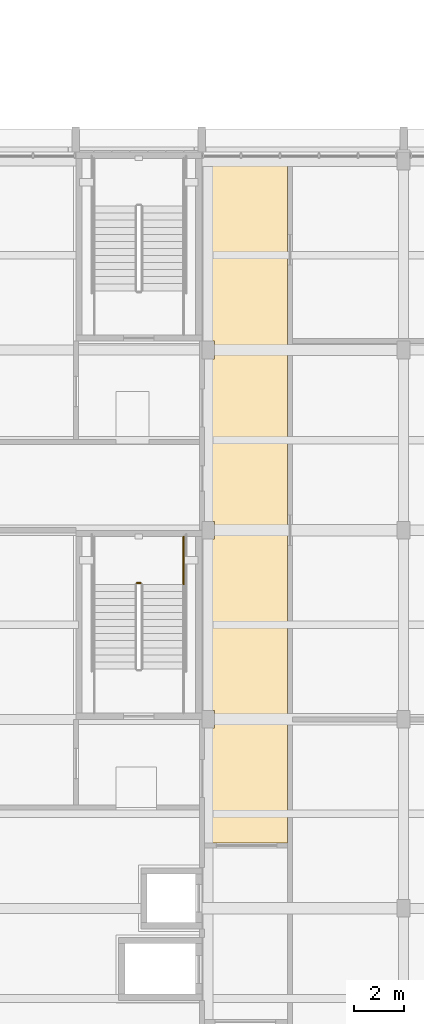
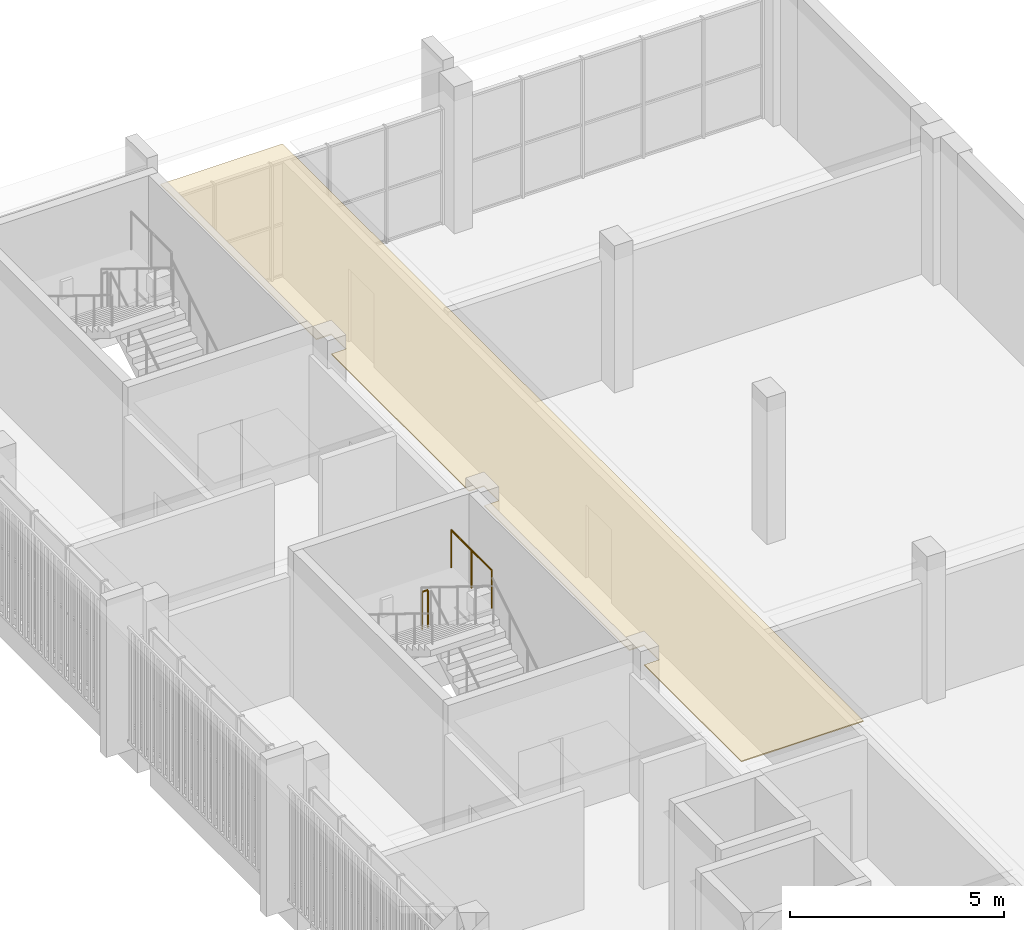
# One storey, part 83 of 92: 2 railings, 1 covering.
"""IFC4 building model written with IfcOpenShell, lengths in metres."""

from ifc_helpers import new_model, si_unit, direction, frame, origin, origin_2d, place, context, subcontext, project, spatial, polyline, circle, outline, extrude, material, layer, layer_set, type_object, element, save


model = new_model("IFC4")

# Units and contexts
model_context = context("Model", 3, precision=1e-05, world=origin(), true_north=direction((0.0, 1.0)))
body_context = subcontext(model_context, "Body", "Model", "MODEL_VIEW")
ifc_project = project(units=[si_unit("LENGTHUNIT", "METRE"), si_unit("AREAUNIT", "SQUARE_METRE"), si_unit("VOLUMEUNIT", "CUBIC_METRE"), si_unit("PLANEANGLEUNIT", "RADIAN"), si_unit("MASSUNIT", "GRAM", prefix="KILO")], contexts=[model_context])

# Site, building, storey
site_placement = place(None, origin())
site = spatial("IfcSite", under=ifc_project, at=site_placement, CompositionType="ELEMENT")
building_placement = place(site_placement, origin())
building = spatial("IfcBuilding", under=site, at=building_placement, Name="Sun Court Science Centre", CompositionType="ELEMENT")
storey_placement = place(building_placement, frame((0.0, 0.0, 11.25)))
storey = spatial("IfcBuildingStorey", under=building, at=storey_placement, Name="L02", CompositionType="ELEMENT", Elevation=11.25)

# Covering
ifc_material_1 = material(Name="Gypsum board")
ifc_layer = layer(ifc_material_1, 0.030029296875)
ifc_layer_set = layer_set([ifc_layer], Name="Gypsum board")
covering_type = type_object("IfcCoveringType", Name="Ceiling suspended 600 module", PredefinedType="CEILING", material=ifc_layer_set)
covering_placement = place(storey_placement, frame((0.0, 0.0, 3.77001953125)))
element("IfcCovering", 1, at=covering_placement, inside=storey, type_object=covering_type, Name="L02-039 ceiling", PredefinedType="CEILING", context=body_context, shape_type="SweptSolid", body=[
    extrude(outline(polyline([(90.39990234375, 80.800048828125), (90.39990234375, 53.60009765625), (87.10009765625, 53.60009765625), (87.10009765625, 58.14990234375), (87.5, 58.14990234375), (87.5, 58.85009765625), (87.10009765625, 58.85009765625), (87.10009765625, 65.64990234375), (87.5, 65.64990234375), (87.5, 66.35009765625), (87.10009765625, 66.35009765625), (87.10009765625, 72.800048828125), (87.5, 72.800048828125), (87.5, 73.5), (87.10009765625, 73.5), (87.10009765625, 80.800048828125), (90.39990234375, 80.800048828125)])), origin(), (0.0, 0.0, 1.0), 0.030029296875),
])

# Railings
ifc_material_2 = material(Name="Steel S275", Category="steel")
railing_type = type_object("IfcRailingType", Name="Guard 1100 steel balustrade", PredefinedType="GUARDRAIL", material=ifc_material_2)
railing_1_placement = place(storey_placement, frame((84.574951171875, 63.907958984375, 2.25)))
element("IfcRailing", 2, at=railing_1_placement, inside=storey, type_object=railing_type, Name="L02 SL3 stair guard 2", PredefinedType="GUARDRAIL", context=body_context, shape_type="SweptSolid", body=[
    extrude(circle(Radius=0.02392578125, at=origin_2d()), frame((0.0, 0.0, 1.076171875), z_axis=(-1.0, 0.0, 0.0), x_axis=(0.0, -1.0, 0.0)), (0.0, 0.0, 1.0), 0.14990234375),
    extrude(circle(Radius=0.02099609375, at=origin_2d()), origin(), (0.0, 0.0, 1.0), 1.052001953125),
    extrude(circle(Radius=0.02099609375, at=origin_2d()), frame((-0.14990234375, 0.0, 0.0)), (0.0, 0.0, 1.0), 1.052001953125),
])
railing_2_placement = place(storey_placement, frame((86.27294921875, 63.85791015625, 2.25)))
element("IfcRailing", 3, at=railing_2_placement, inside=storey, type_object=railing_type, Name="L02 SL3 stair guard 3", PredefinedType="GUARDRAIL", context=body_context, shape_type="SweptSolid", body=[
    extrude(circle(Radius=0.02392578125, at=origin_2d()), frame((0.0, 0.0, 1.076171875), z_axis=(0.0, 1.0, 0.0), x_axis=(-1.0, 0.0, 0.0)), (0.0, 0.0, 1.0), 1.89208984375),
    extrude(circle(Radius=0.02099609375, at=origin_2d()), origin(), (0.0, 0.0, 1.0), 1.052001953125),
    extrude(circle(Radius=0.02099609375, at=origin_2d()), frame((0.0, 0.946044921875, 0.0)), (0.0, 0.0, 1.0), 1.052001953125),
    extrude(circle(Radius=0.02099609375, at=origin_2d()), frame((0.0, 1.89208984375, 0.0)), (0.0, 0.0, 1.0), 1.052001953125),
])

save(model, "model.ifc")
